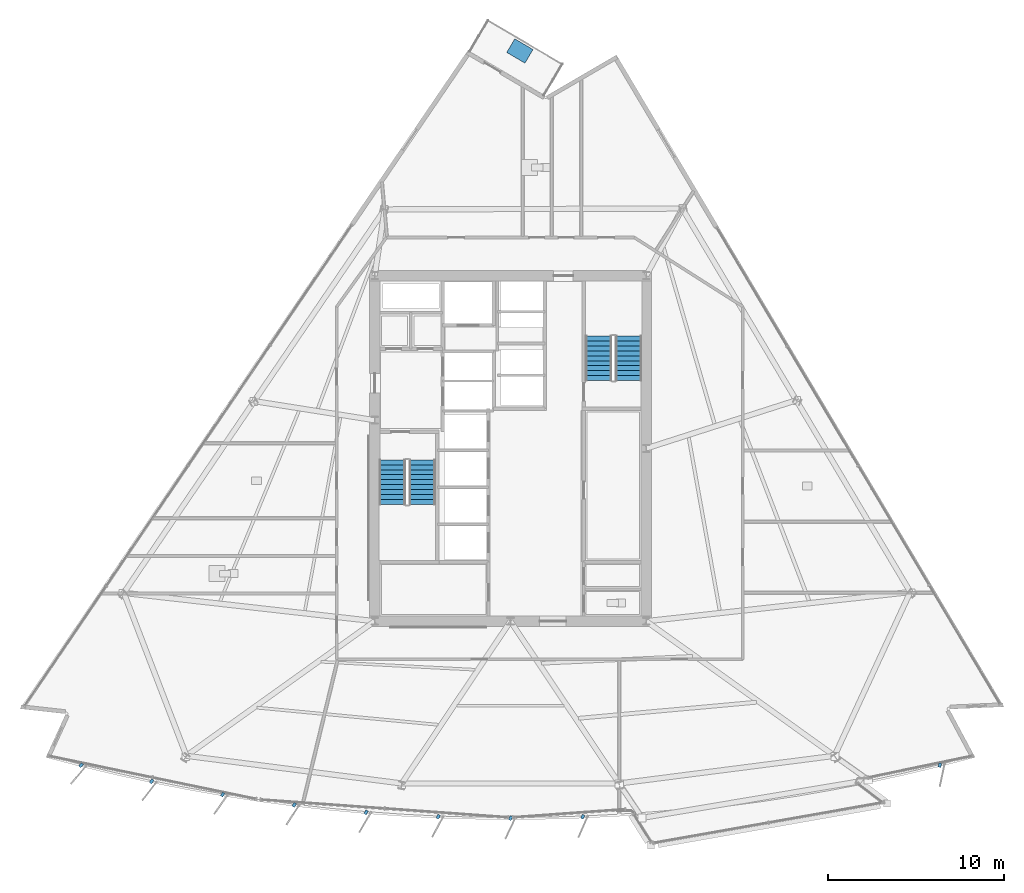
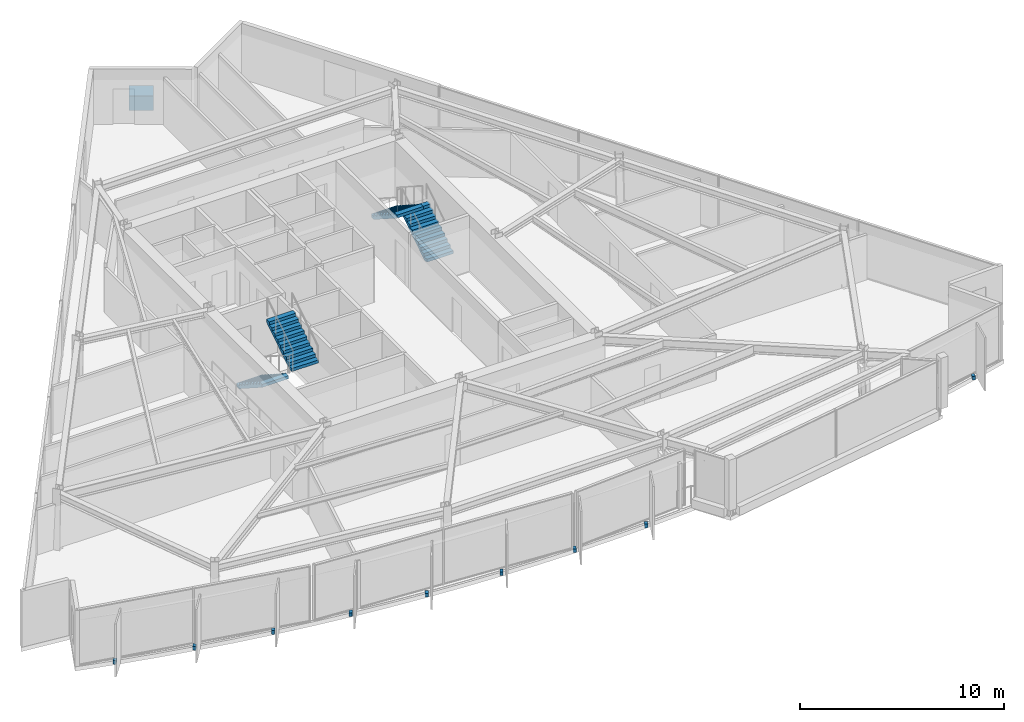
# One storey, part 10 of 15: 10 discrete accessories, 4 stair flights, 2 elements without a shape of their own.
"""IFC4 building model written with IfcOpenShell, lengths in metres."""

import ifcopenshell
import ifcopenshell.guid

model = None  # the IFC model being written
_history = None  # IfcOwnerHistory: only IFC2X3 demands one
_inside = {}  # id of a spatial element -> (the spatial element, [elements in it])
_under = {}  # id of a project, library or spatial element -> (it, [spatial elements below it])
_declared = {}  # id of a project -> (the project, [libraries it declares])
_typed = {}  # id of a type object -> (the type object, [elements of that type])
_made_of = {}  # id of a material, layer set ... -> (it, [elements and type objects made of it])


def new_model(schema):
    """Start an empty IFC model of exactly this schema.

    Asked for "IFC4X3", IfcOpenShell would pick the latest addendum, in which some entities
    have other attributes; the version numbers below select the first issue.
    IFC2X3 requires an IfcOwnerHistory on every rooted entity: one is made here for all.
    """
    global model, _history
    if schema == "IFC4X3":
        model = ifcopenshell.file(schema_version=(4, 3, 0, 0))
    else:
        model = ifcopenshell.file(schema=schema)
    _inside.clear()
    _under.clear()
    _declared.clear()
    _typed.clear()
    _made_of.clear()
    _history = None
    if model.schema == "IFC2X3":
        org = make("IfcOrganization", Name="unknown")
        user = make(
            "IfcPersonAndOrganization",
            ThePerson=make("IfcPerson", FamilyName="unknown"),
            TheOrganization=org,
        )
        app = make(
            "IfcApplication",
            ApplicationDeveloper=org,
            Version="unknown",
            ApplicationFullName="unknown",
            ApplicationIdentifier="unknown",
        )
        _history = make(
            "IfcOwnerHistory",
            OwningUser=user,
            OwningApplication=app,
            ChangeAction="ADDED",
            CreationDate=0,
        )
    return model


def make(cls, **values):
    """One entity of the class cls with the attributes given. An attribute that is None is left unset."""
    return model.create_entity(
        cls, **{name: value for name, value in values.items() if value is not None}
    )


def rooted(cls, **values):
    """An entity with a GlobalId (a new one), such as an element, a storey or a relation."""
    return make(cls, GlobalId=ifcopenshell.guid.new(), OwnerHistory=_history, **values)


def si_unit(unit_type, name, prefix=None):
    """IfcSIUnit, for example si_unit("LENGTHUNIT", "METRE", prefix="MILLI")."""
    return make("IfcSIUnit", UnitType=unit_type, Prefix=prefix, Name=name)


def assignment(units):
    """IfcUnitAssignment: the units of a project."""
    return None if units is None else make("IfcUnitAssignment", Units=units)


def point(xyz):
    """IfcCartesianPoint."""
    return None if xyz is None else make("IfcCartesianPoint", Coordinates=xyz)


def direction(xyz):
    """IfcDirection."""
    return None if xyz is None else make("IfcDirection", DirectionRatios=xyz)


def frame(location, z_axis=None, x_axis=None):
    """IfcAxis2Placement3D, a coordinate frame: its origin and axes. An axis left out is left unset."""
    return make(
        "IfcAxis2Placement3D",
        Location=point(location),
        Axis=direction(z_axis),
        RefDirection=direction(x_axis),
    )


def frame_2d(location, x_axis=None):
    """IfcAxis2Placement2D, a coordinate frame in the plane: its origin and x axis."""
    return make(
        "IfcAxis2Placement2D", Location=point(location), RefDirection=direction(x_axis)
    )


def origin():
    """The frame at (0, 0, 0) with its axes left unset."""
    return frame((0.0, 0.0, 0.0))


def origin_2d():
    """The frame at (0, 0) in the plane with its x axis left unset."""
    return frame_2d((0.0, 0.0))


def place(relative_to, where):
    """IfcLocalPlacement: puts the frame where relative to a parent placement (None: the world)."""
    return make(
        "IfcLocalPlacement", PlacementRelTo=relative_to, RelativePlacement=where
    )


def context(
    kind, dimensions, precision=None, world=None, true_north=None, identifier=None
):
    """IfcGeometricRepresentationContext, for example the 3D "Model" context."""
    return make(
        "IfcGeometricRepresentationContext",
        ContextIdentifier=identifier,
        ContextType=kind,
        CoordinateSpaceDimension=dimensions,
        Precision=precision,
        WorldCoordinateSystem=world,
        TrueNorth=true_north,
    )


def subcontext(parent, identifier, kind, view, scale=None):
    """IfcGeometricRepresentationSubContext, for example "Body" below "Model"."""
    return make(
        "IfcGeometricRepresentationSubContext",
        ContextIdentifier=identifier,
        ContextType=kind,
        ParentContext=parent,
        TargetScale=scale,
        TargetView=view,
    )


def project(units=None, contexts=None):
    """IfcProject with its units and contexts."""
    return rooted(
        "IfcProject",
        Name="project",
        RepresentationContexts=contexts,
        UnitsInContext=assignment(units),
    )


def spatial(cls, under=None, at=None, **own):
    """A site, building, storey or space (cls), placed at a placement, below another one or the project."""
    s = rooted(cls, ObjectPlacement=at, **own)
    if under is not None:
        _under.setdefault(under.id(), (under, []))[1].append(s)
    return s


def polyline(points):
    """IfcPolyline through the points."""
    return make("IfcPolyline", Points=[point(p) for p in points])


def profile(cls, at=None, kind="AREA", **sizes):
    """A parametric profile (cls). Its sizes go by their IFC names, for example OverallWidth=200.0."""
    return make(cls, ProfileType=kind, Position=at, **sizes)


def rectangle(**sizes):
    """IfcRectangleProfileDef."""
    return profile("IfcRectangleProfileDef", **sizes)


def outline(outer, holes=None, kind="AREA"):
    """IfcArbitraryClosedProfileDef: a profile drawn as a closed curve; with holes, ...WithVoids."""
    if holes is None:
        return make("IfcArbitraryClosedProfileDef", ProfileType=kind, OuterCurve=outer)
    return make(
        "IfcArbitraryProfileDefWithVoids",
        ProfileType=kind,
        OuterCurve=outer,
        InnerCurves=holes,
    )


def extrude(swept, where, along, depth):
    """IfcExtrudedAreaSolid: the profile swept, set in the frame where, extruded along a direction by depth."""
    return make(
        "IfcExtrudedAreaSolid",
        SweptArea=swept,
        Position=where,
        ExtrudedDirection=direction(along),
        Depth=depth,
    )


def shape(context_of_items, identifier, shape_type, items):
    """IfcShapeRepresentation: the items that make up one representation, for example the "Body"."""
    return make(
        "IfcShapeRepresentation",
        ContextOfItems=context_of_items,
        RepresentationIdentifier=identifier,
        RepresentationType=shape_type,
        Items=items,
    )


def material(Name=None, Category=None):
    """IfcMaterial."""
    return make("IfcMaterial", Name=Name, Category=Category)


def made_of(thing, what):
    """Note that an element or type object is made of a material, layer set ...; save() writes the relation."""
    if what is not None:
        _made_of.setdefault(what.id(), (what, []))[1].append(thing)
    return thing


def type_object(cls, material=None, **own):
    """A type object (cls), such as IfcWallType, which elements share."""
    return made_of(rooted(cls, **own), material)


def element(
    cls,
    number,
    at=None,
    inside=None,
    cuts=None,
    type_object=None,
    material=None,
    context=None,
    identifier="Body",
    shape_type=None,
    held_by="IfcProductDefinitionShape",
    body=None,
    shapes=None,
    **own,
):
    """One element of the class cls, such as IfcWall. Its Tag is "e" and its number.

    at: its placement. inside: the storey or other place that contains it. cuts: it is an
    opening in that element (IfcRelVoidsElement). A single representation is given by context,
    identifier, shape_type and body (its items); several are given by shapes. held_by: the class
    of the entity that holds the representations. save() writes the other relations.
    """
    e = rooted(cls, Tag="e%d" % number, ObjectPlacement=at, **own)
    if body is not None:
        shapes = [shape(context, identifier, shape_type, body)]
    if shapes is not None:
        e.Representation = make(held_by, Representations=shapes)
    if inside is not None:
        _inside.setdefault(inside.id(), (inside, []))[1].append(e)
    if cuts is not None:
        rooted(
            "IfcRelVoidsElement", RelatingBuildingElement=cuts, RelatedOpeningElement=e
        )
    if type_object is not None:
        _typed.setdefault(type_object.id(), (type_object, []))[1].append(e)
    return made_of(e, material)


def aggregate(whole, parts):
    """IfcRelAggregates: a whole, such as a stair, and the parts it consists of."""
    return rooted("IfcRelAggregates", RelatingObject=whole, RelatedObjects=parts)


def save(model, path):
    """Write the relations noted so far, then the file.

    IfcRelAggregates (storeys below a building ...), IfcRelContainedInSpatialStructure (elements
    in a storey), IfcRelDefinesByType, IfcRelAssociatesMaterial and IfcRelDeclares: one each for
    every whole, place, type object, material and project.
    """
    for whole, parts in _under.values():
        aggregate(whole, parts)
    for where, things in _inside.values():
        rooted(
            "IfcRelContainedInSpatialStructure",
            RelatedElements=things,
            RelatingStructure=where,
        )
    for kind, things in _typed.values():
        rooted("IfcRelDefinesByType", RelatedObjects=things, RelatingType=kind)
    for what, things in _made_of.values():
        rooted("IfcRelAssociatesMaterial", RelatedObjects=things, RelatingMaterial=what)
    for by, libraries in _declared.values():
        rooted("IfcRelDeclares", RelatingContext=by, RelatedDefinitions=libraries)
    model.write(path)


model = new_model("IFC4")

# Units and contexts
model_context = context("Model", 3, precision=1e-05, world=origin(), true_north=direction((0.0, 1.0)))
body_context = subcontext(model_context, "Body", "Model", "MODEL_VIEW")
ifc_project = project(units=[si_unit("LENGTHUNIT", "METRE"), si_unit("AREAUNIT", "SQUARE_METRE"), si_unit("VOLUMEUNIT", "CUBIC_METRE"), si_unit("PLANEANGLEUNIT", "RADIAN"), si_unit("MASSUNIT", "GRAM", prefix="KILO")], contexts=[model_context])

# Site, building, storey
site_placement = place(None, origin())
site = spatial("IfcSite", under=ifc_project, at=site_placement, CompositionType="ELEMENT")
building_placement = place(site_placement, origin())
building = spatial("IfcBuilding", under=site, at=building_placement, Name="Savorim Split Tower", CompositionType="ELEMENT")
storey_placement = place(building_placement, frame((0.0, 0.0, 122.10009765625)))
storey = spatial("IfcBuildingStorey", under=building, at=storey_placement, Name="L32", CompositionType="ELEMENT", Elevation=122.10009765625)

# Stair, stair flights
ifc_material_1 = material(Name="Concrete C50/60", Category="concrete")
stair_type = type_object("IfcStairType", Name="STR-DOG-3600", PredefinedType="HALF_TURN_STAIR", material=ifc_material_1)
stair_1_placement = place(storey_placement, origin())
stair_1 = element("IfcStair", 1, at=stair_1_placement, inside=storey, type_object=stair_type, Name="L32 Core Protected Exit Stair ST-1", PredefinedType="HALF_TURN_STAIR")
stair_flight_type = type_object("IfcStairFlightType", Name="SFL-DOG-3600", PredefinedType="STRAIGHT", material=ifc_material_1)
stair_flight_1_placement = place(storey_placement, frame((-6.699951171875, -0.25, 0.0), z_axis=(0.0, 0.0, 1.0), x_axis=(0.0, -1.0, 0.0)))
stair_flight_1 = element("IfcStairFlight", 2, at=stair_flight_1_placement, type_object=stair_flight_type, Name="ST-1 flight 1", NumberOfRisers=10, NumberOfTreads=9, PredefinedType="STRAIGHT", RiserHeight=0.18, TreadLength=0.28, context=body_context, shape_type="SweptSolid", body=[
    extrude(outline(polyline([(0.0, 0.0), (0.0, 0.179931640625), (0.280029296875, 0.179931640625), (0.280029296875, 0.360107421875), (0.56005859375, 0.360107421875), (0.56005859375, 0.5400390625), (0.840087890625, 0.5400390625), (0.840087890625, 0.719970703125), (1.1201171875, 0.719970703125), (1.1201171875, 0.89990234375), (1.39990234375, 0.89990234375), (1.39990234375, 1.080078125), (1.679931640625, 1.080078125), (1.679931640625, 1.260009765625), (1.9599609375, 1.260009765625), (1.9599609375, 1.43994140625), (2.239990234375, 1.43994140625), (2.239990234375, 1.6201171875), (2.52001953125, 1.6201171875), (2.52001953125, 1.800048828125), (2.52001953125, 1.44189453125), (0.277099609375, 0.0), (0.0, 0.0)])), frame((0.0, 0.75, 0.0), z_axis=(0.0, -1.0, 0.0), x_axis=(1.0, 0.0, 0.0)), (0.0, 0.0, 1.0), 1.5),
])
stair_flight_2_placement = place(storey_placement, frame((-5.0, -2.77001953125, 1.7998046875), z_axis=(0.0, 0.0, 1.0), x_axis=(0.0, 1.0, 0.0)))
stair_flight_2 = element("IfcStairFlight", 3, at=stair_flight_2_placement, type_object=stair_flight_type, Name="ST-1 flight 2", NumberOfRisers=10, NumberOfTreads=9, PredefinedType="STRAIGHT", RiserHeight=0.18, TreadLength=0.28, context=body_context, shape_type="SweptSolid", body=[
    extrude(outline(polyline([(0.0, 0.0), (0.0, 0.179931640625), (0.280029296875, 0.179931640625), (0.280029296875, 0.360107421875), (0.56005859375, 0.360107421875), (0.56005859375, 0.5400390625), (0.840087890625, 0.5400390625), (0.840087890625, 0.719970703125), (1.1201171875, 0.719970703125), (1.1201171875, 0.89990234375), (1.39990234375, 0.89990234375), (1.39990234375, 1.080078125), (1.679931640625, 1.080078125), (1.679931640625, 1.260009765625), (1.9599609375, 1.260009765625), (1.9599609375, 1.43994140625), (2.239990234375, 1.43994140625), (2.239990234375, 1.6201171875), (2.52001953125, 1.6201171875), (2.52001953125, 1.800048828125), (2.52001953125, 1.44189453125), (0.277099609375, 0.0), (0.0, 0.0)])), frame((0.0, 0.75, 0.0), z_axis=(0.0, -1.0, 0.0), x_axis=(1.0, 0.0, 0.0)), (0.0, 0.0, 1.0), 1.5),
])
aggregate(stair_1, [stair_flight_1, stair_flight_2])

stair_2_placement = place(storey_placement, origin())
stair_2 = element("IfcStair", 4, at=stair_2_placement, inside=storey, type_object=stair_type, Name="L32 Core Protected Exit Stair ST-2", PredefinedType="HALF_TURN_STAIR")
stair_flight_3_placement = place(storey_placement, frame((6.699951171875, 4.25, 0.0), z_axis=(0.0, 0.0, 1.0), x_axis=(0.0, 1.0, 0.0)))
stair_flight_3 = element("IfcStairFlight", 5, at=stair_flight_3_placement, type_object=stair_flight_type, Name="ST-2 flight 1", NumberOfRisers=10, NumberOfTreads=9, PredefinedType="STRAIGHT", RiserHeight=0.18, TreadLength=0.28, context=body_context, shape_type="SweptSolid", body=[
    extrude(outline(polyline([(0.0, 0.0), (0.0, 0.179931640625), (0.280029296875, 0.179931640625), (0.280029296875, 0.360107421875), (0.56005859375, 0.360107421875), (0.56005859375, 0.5400390625), (0.840087890625, 0.5400390625), (0.840087890625, 0.719970703125), (1.1201171875, 0.719970703125), (1.1201171875, 0.89990234375), (1.39990234375, 0.89990234375), (1.39990234375, 1.080078125), (1.679931640625, 1.080078125), (1.679931640625, 1.260009765625), (1.9599609375, 1.260009765625), (1.9599609375, 1.43994140625), (2.239990234375, 1.43994140625), (2.239990234375, 1.6201171875), (2.52001953125, 1.6201171875), (2.52001953125, 1.800048828125), (2.52001953125, 1.44189453125), (0.277099609375, 0.0), (0.0, 0.0)])), frame((0.0, 0.75, 0.0), z_axis=(0.0, -1.0, 0.0), x_axis=(1.0, 0.0, 0.0)), (0.0, 0.0, 1.0), 1.5),
])
stair_flight_4_placement = place(storey_placement, frame((5.0, 6.77001953125, 1.7998046875), z_axis=(0.0, 0.0, 1.0), x_axis=(0.0, -1.0, 0.0)))
stair_flight_4 = element("IfcStairFlight", 6, at=stair_flight_4_placement, type_object=stair_flight_type, Name="ST-2 flight 2", NumberOfRisers=10, NumberOfTreads=9, PredefinedType="STRAIGHT", RiserHeight=0.18, TreadLength=0.28, context=body_context, shape_type="SweptSolid", body=[
    extrude(outline(polyline([(0.0, 0.0), (0.0, 0.179931640625), (0.280029296875, 0.179931640625), (0.280029296875, 0.360107421875), (0.56005859375, 0.360107421875), (0.56005859375, 0.5400390625), (0.840087890625, 0.5400390625), (0.840087890625, 0.719970703125), (1.1201171875, 0.719970703125), (1.1201171875, 0.89990234375), (1.39990234375, 0.89990234375), (1.39990234375, 1.080078125), (1.679931640625, 1.080078125), (1.679931640625, 1.260009765625), (1.9599609375, 1.260009765625), (1.9599609375, 1.43994140625), (2.239990234375, 1.43994140625), (2.239990234375, 1.6201171875), (2.52001953125, 1.6201171875), (2.52001953125, 1.800048828125), (2.52001953125, 1.44189453125), (0.277099609375, 0.0), (0.0, 0.0)])), frame((0.0, 0.75, 0.0), z_axis=(0.0, -1.0, 0.0), x_axis=(1.0, 0.0, 0.0)), (0.0, 0.0, 1.0), 1.5),
])
aggregate(stair_2, [stair_flight_3, stair_flight_4])

# Discrete accessories
ifc_material_2 = material(Name="Steel S355", Category="steel")
discrete_accessory_type_1 = type_object("IfcDiscreteAccessoryType", Name="ACC-BRK-FIN", PredefinedType="BRACKET", material=ifc_material_2)
for number, where, z_axis, x_axis, name in (
    (7, (-24.35107421875, -17.566162109375, -0.18994140625), (0.0, 0.0, 1.0), (-0.643719022682, -0.765261928909, 0.0), "L32 Fin Slab-Edge Cleat Bracket 01"),
    (8, (-20.355224609375, -18.481201171875, -0.18994140625), (0.0, 0.0, 1.0), (-0.611868076908, -0.790959832394, 0.0), "L32 Fin Slab-Edge Cleat Bracket 02"),
    (9, (-16.3251953125, -19.23193359375, -0.18994140625), (0.0, 0.0, 1.0), (-0.578993757737, -0.815331974414, 0.0), "L32 Fin Slab-Edge Cleat Bracket 03"),
    (10, (-12.267822265625, -19.817138671875, -0.18994140625), (0.0, 0.0, 1.0), (-0.545148321708, -0.838339613366, 0.0), "L32 Fin Slab-Edge Cleat Bracket 04"),
    (11, (-8.18994140625, -20.23583984375, -0.18994140625), (0.0, 0.0, 1.0), (-0.510391336723, -0.859942255851, 0.0), "L32 Fin Slab-Edge Cleat Bracket 05"),
    (12, (-4.098388671875, -20.4873046875, -0.18994140625), (0.0, 0.0, 1.0), (-0.474778051978, -0.880105562623, 0.0), "L32 Fin Slab-Edge Cleat Bracket 06"),
    (13, (0.0, -20.5712890625, -0.18994140625), (0.0, 0.0, 1.0), (-0.438371146789, -0.898794046299, 0.0), "L32 Fin Slab-Edge Cleat Bracket 07"),
    (14, (4.098388671875, -20.4873046875, -0.18994140625), (0.0, 0.0, 1.0), (-0.401230091723, -0.915977299662, 0.0), "L32 Fin Slab-Edge Cleat Bracket 08"),
    (15, (24.35107421875, -17.566162109375, -0.18994140625), (0.0, 0.0, 1.0), (-0.206721626106, -0.978399800337, 0.0), "L32 Fin Slab-Edge Cleat Bracket 13"),
):
    element("IfcDiscreteAccessory", number, at=place(storey_placement, frame(where, z_axis=z_axis, x_axis=x_axis)), inside=storey, type_object=discrete_accessory_type_1, Name=name, PredefinedType="BRACKET", context=body_context, shape_type="SweptSolid", body=[
        extrude(rectangle(XDim=0.239990234375, YDim=0.159912109375, at=origin_2d()), origin(), (0.0, 0.0, 1.0), 0.219970703125),
    ])
ifc_material_3 = material(Name="Architectural Precast Planter Concrete C40/50", Category="concrete")
discrete_accessory_type_2 = type_object("IfcDiscreteAccessoryType", Name="ACC-PLN-TREE", PredefinedType="USERDEFINED", material=ifc_material_3)
discrete_accessory_placement = place(storey_placement, frame((0.531982421875, 22.939208984375, -0.000244140625), z_axis=(0.0, 0.0, 1.0), x_axis=(-0.862129230606, 0.506688454313, 0.0)))
element("IfcDiscreteAccessory", 16, at=discrete_accessory_placement, inside=storey, type_object=discrete_accessory_type_2, Name="L32 Balcony Precast Tree Planter N", ObjectType="PLANTER", PredefinedType="USERDEFINED", context=body_context, shape_type="SweptSolid", body=[
    extrude(rectangle(XDim=1.199951171875, YDim=0.89990234375, at=origin_2d()), origin(), (0.0, 0.0, 1.0), 0.85009765625),
])

save(model, "model.ifc")
